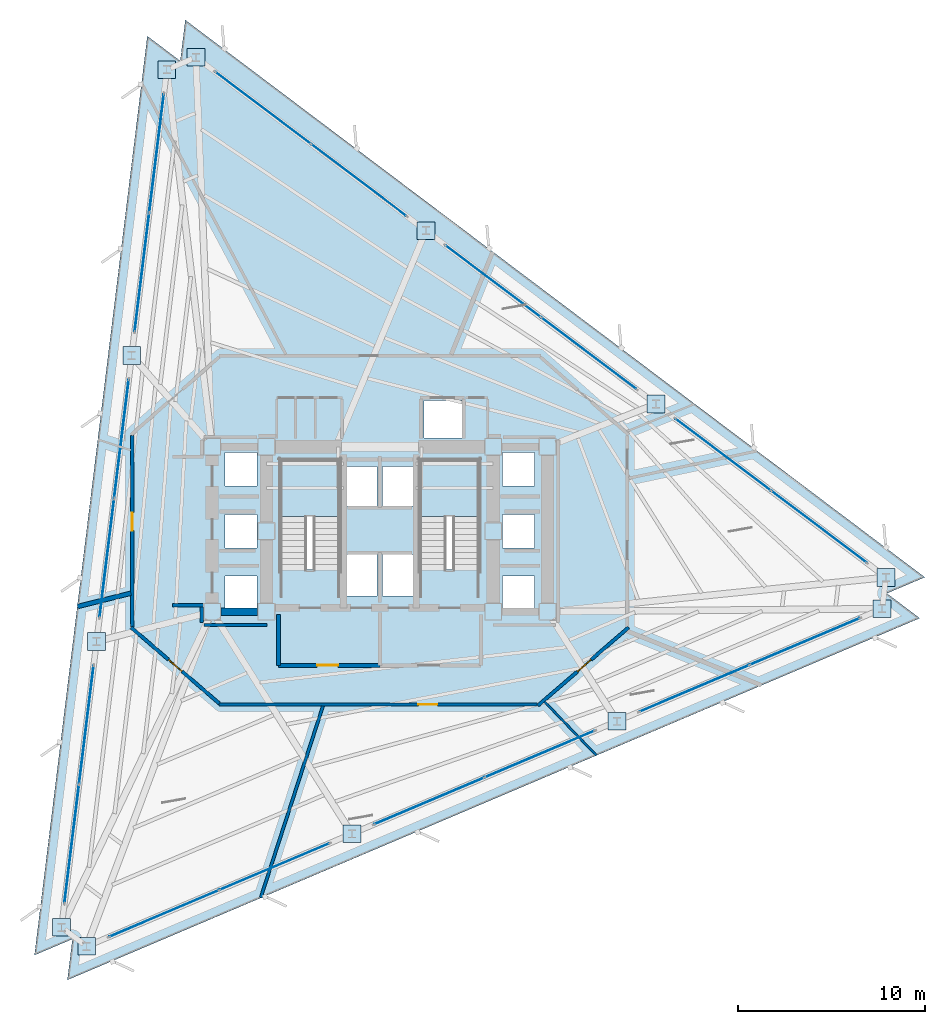
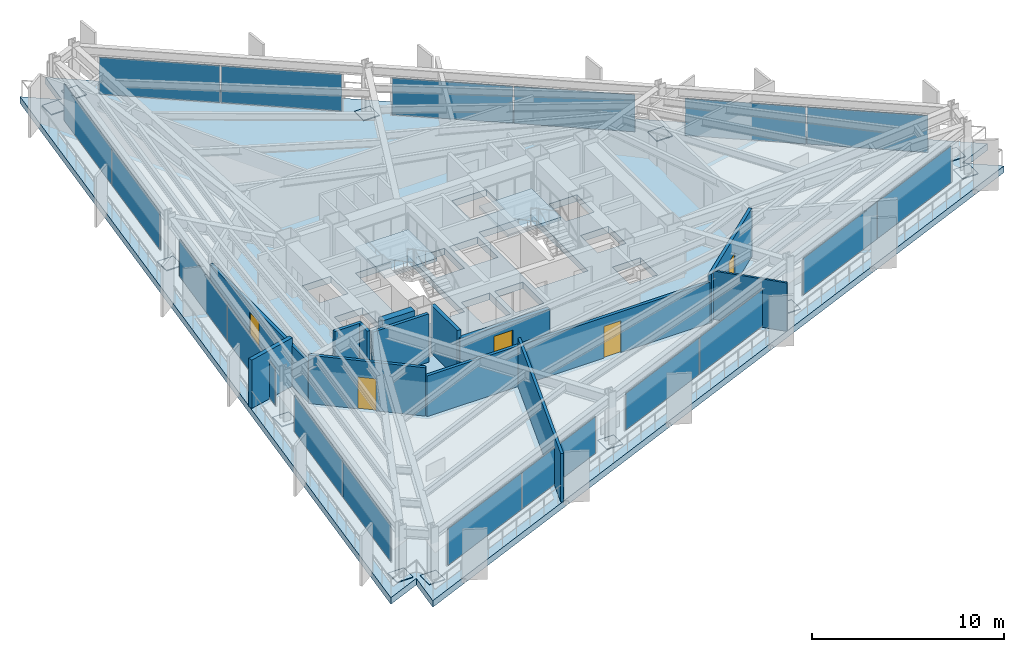
# One storey, part 6 of 13: 30 plates, 13 walls, 5 doors, 3 slabs, 5 openings, 11 elements without a shape of their own.
"""IFC4 building model written with IfcOpenShell, lengths in metres."""

from ifc_helpers import new_model, si_unit, direction, frame, frame_2d, origin, origin_2d, place, context, subcontext, project, spatial, polyline, rectangle, outline, extrude, material, layer, layer_set, type_object, element, fill, aggregate, save


model = new_model("IFC4")

# Units and contexts
model_context = context("Model", 3, precision=1e-05, world=origin(), true_north=direction((0.0, 1.0)))
body_context = subcontext(model_context, "Body", "Model", "MODEL_VIEW")
ifc_project = project(units=[si_unit("LENGTHUNIT", "METRE"), si_unit("AREAUNIT", "SQUARE_METRE"), si_unit("VOLUMEUNIT", "CUBIC_METRE"), si_unit("PLANEANGLEUNIT", "RADIAN"), si_unit("MASSUNIT", "GRAM", prefix="KILO")], contexts=[model_context])

# Site, building, storey
site_placement = place(None, origin())
site = spatial("IfcSite", under=ifc_project, at=site_placement, CompositionType="ELEMENT")
building_placement = place(site_placement, origin())
building = spatial("IfcBuilding", under=site, at=building_placement, Name="Rocaltana Carrier Exchange", CompositionType="ELEMENT")
storey_placement = place(building_placement, frame((0.0, 0.0, 49.60009765625)))
storey = spatial("IfcBuildingStorey", under=building, at=storey_placement, Name="L15", CompositionType="ELEMENT", Elevation=49.60009765625)

# Slab
ifc_material_1 = material(Name="Concrete C60/75", Category="concrete")
ifc_layer_1 = layer(ifc_material_1, 0.419921875)
ifc_layer_set_1 = layer_set([ifc_layer_1], Name="Concrete C60/75")
slab_type_1 = type_object("IfcSlabType", Name="Block Transfer Diaphragm Slab 420", PredefinedType="FLOOR", material=ifc_layer_set_1)
slab_1_placement = place(storey_placement, frame((0.0, 0.0, -0.420166015625)))
element("IfcSlab", 1, at=slab_1_placement, inside=storey, type_object=slab_type_1, Name="L15 Structural Floor Slab", PredefinedType="FLOOR", context=body_context, shape_type="SweptSolid", body=[
    extrude(outline(polyline([(28.8046875, -4.64501953125), (27.0478515625, -3.321044921875), (29.072998046875, -2.46142578125), (-10.379638671875, 27.268310546875), (-10.647705078125, 25.084716796875), (-12.40478515625, 26.40869140625), (-18.425048828125, -22.623291015625), (-16.39990234375, -21.763671875), (-16.668212890625, -23.947265625), (28.8046875, -4.64501953125)]), holes=[polyline([(-5.300048828125, -2.06005859375), (-2.139892578125, -2.06005859375), (-2.139892578125, 3.800048828125), (-5.300048828125, 3.800048828125), (-5.300048828125, -2.06005859375)]), polyline([(2.139892578125, -2.06005859375), (5.300048828125, -2.06005859375), (5.300048828125, 3.800048828125), (2.139892578125, 3.800048828125), (2.139892578125, -2.06005859375)]), polyline([(-1.85009765625, -3.449951171875), (-0.14990234375, -3.449951171875), (-0.14990234375, -1.25), (-1.85009765625, -1.25), (-1.85009765625, -3.449951171875)]), polyline([(0.14990234375, -3.449951171875), (1.85009765625, -3.449951171875), (1.85009765625, -1.25), (0.14990234375, -1.25), (0.14990234375, -3.449951171875)]), polyline([(2.35009765625, 4.97998046875), (4.39990234375, 4.97998046875), (4.39990234375, 6.97998046875), (2.35009765625, 6.97998046875), (2.35009765625, 4.97998046875)]), polyline([(-1.85009765625, 1.35009765625), (-0.14990234375, 1.35009765625), (-0.14990234375, 3.449951171875), (-1.85009765625, 3.449951171875), (-1.85009765625, 1.35009765625)]), polyline([(0.14990234375, 1.35009765625), (1.85009765625, 1.35009765625), (1.85009765625, 3.449951171875), (0.14990234375, 3.449951171875), (0.14990234375, 1.35009765625)]), polyline([(-8.25, -4.199951171875), (-6.550048828125, -4.199951171875), (-6.550048828125, -2.39990234375), (-8.25, -2.39990234375), (-8.25, -4.199951171875)]), polyline([(-8.25, -0.89990234375), (-6.550048828125, -0.89990234375), (-6.550048828125, 0.89990234375), (-8.25, 0.89990234375), (-8.25, -0.89990234375)]), polyline([(-8.25, 2.39990234375), (-6.550048828125, 2.39990234375), (-6.550048828125, 4.199951171875), (-8.25, 4.199951171875), (-8.25, 2.39990234375)]), polyline([(6.550048828125, -4.199951171875), (8.25, -4.199951171875), (8.25, -2.39990234375), (6.550048828125, -2.39990234375), (6.550048828125, -4.199951171875)]), polyline([(6.550048828125, -0.89990234375), (8.25, -0.89990234375), (8.25, 0.89990234375), (6.550048828125, 0.89990234375), (6.550048828125, -0.89990234375)]), polyline([(6.550048828125, 2.39990234375), (8.25, 2.39990234375), (8.25, 4.199951171875), (6.550048828125, 4.199951171875), (6.550048828125, 2.39990234375)])]), origin(), (0.0, 0.0, 1.0), 0.420166015625),
])

# Curtain wall, plates
ifc_material_2 = material(Name="Aluminium 6063-T6", Category="aluminium")
ifc_layer_2 = layer(ifc_material_2, 0.1650390625)
ifc_layer_set_2 = layer_set([ifc_layer_2], Name="Aluminium 6063-T6")
curtain_wall_type = type_object("IfcCurtainWallType", Name="Lower-Mid Stepped Curtain Wall CW-02", PredefinedType="NOTDEFINED", material=ifc_layer_set_2)
curtain_wall_1_placement = place(storey_placement, origin())
curtain_wall_1 = element("IfcCurtainWall", 2, at=curtain_wall_1_placement, inside=storey, type_object=curtain_wall_type, Name="L15 CW-02 Run CW-L15-F1S1", PredefinedType="NOTDEFINED")
ifc_material_3 = material(Name="Tempered Laminated Glass", Category="glass")
ifc_layer_3 = layer(ifc_material_3, 0.0419921875)
ifc_layer_set_3 = layer_set([ifc_layer_3], Name="Tempered Laminated Glass")
plate_type_1 = type_object("IfcPlateType", Name="CW-02 Stone-Insulated Vision Panel", PredefinedType="CURTAIN_PANEL", material=ifc_layer_set_3)
plate_1_placement = place(storey_placement, frame((23.422607421875, 0.231201171875, 0.06494140625), z_axis=(0.0, 0.0, 1.0), x_axis=(-0.798641886792, 0.601806560833, 0.0)))
plate_1 = element("IfcPlate", 3, at=plate_1_placement, type_object=plate_type_1, Name="CW-02 panel 1.1", PredefinedType="CURTAIN_PANEL", context=body_context, shape_type="SweptSolid", body=[
    extrude(rectangle(XDim=6.335693359375, YDim=0.0419921875, at=origin_2d()), origin(), (0.0, 0.0, 1.0), 2.347900390625),
])
plate_2_placement = place(storey_placement, frame((18.310791015625, 4.083251953125, 0.06494140625), z_axis=(0.0, 0.0, 1.0), x_axis=(-0.798641886792, 0.601806560833, 0.0)))
plate_2 = element("IfcPlate", 4, at=plate_2_placement, type_object=plate_type_1, Name="CW-02 panel 2.1", PredefinedType="CURTAIN_PANEL", context=body_context, shape_type="SweptSolid", body=[
    extrude(rectangle(XDim=6.335693359375, YDim=0.0419921875, at=origin_2d()), origin(), (0.0, 0.0, 1.0), 2.347900390625),
])
aggregate(curtain_wall_1, [plate_1, plate_2])

curtain_wall_2_placement = place(storey_placement, origin())
curtain_wall_2 = element("IfcCurtainWall", 5, at=curtain_wall_2_placement, inside=storey, type_object=curtain_wall_type, Name="L15 CW-02 Run CW-L15-F1S2", PredefinedType="NOTDEFINED")
plate_3_placement = place(storey_placement, frame((11.150390625, 9.47900390625, 0.06494140625), z_axis=(0.0, 0.0, 1.0), x_axis=(-0.798635336443, 0.601815253533, 0.0)))
plate_3 = element("IfcPlate", 6, at=plate_3_placement, type_object=plate_type_1, Name="CW-02 panel 1.1", PredefinedType="CURTAIN_PANEL", context=body_context, shape_type="SweptSolid", body=[
    extrude(rectangle(XDim=6.335693359375, YDim=0.0419921875, at=origin_2d()), origin(), (0.0, 0.0, 1.0), 2.347900390625),
])
plate_4_placement = place(storey_placement, frame((6.038330078125, 13.3310546875, 0.06494140625), z_axis=(0.0, 0.0, 1.0), x_axis=(-0.798635336443, 0.601815253533, 0.0)))
plate_4 = element("IfcPlate", 7, at=plate_4_placement, type_object=plate_type_1, Name="CW-02 panel 2.1", PredefinedType="CURTAIN_PANEL", context=body_context, shape_type="SweptSolid", body=[
    extrude(rectangle(XDim=6.335693359375, YDim=0.0419921875, at=origin_2d()), origin(), (0.0, 0.0, 1.0), 2.347900390625),
])
aggregate(curtain_wall_2, [plate_3, plate_4])

curtain_wall_3_placement = place(storey_placement, origin())
curtain_wall_3 = element("IfcCurtainWall", 8, at=curtain_wall_3_placement, inside=storey, type_object=curtain_wall_type, Name="L15 CW-02 Run CW-L15-F1S3", PredefinedType="NOTDEFINED")
plate_5_placement = place(storey_placement, frame((-1.1220703125, 18.726806640625, 0.06494140625), z_axis=(0.0, 0.0, 1.0), x_axis=(-0.79863815132, 0.601811518049, 0.0)))
plate_5 = element("IfcPlate", 9, at=plate_5_placement, type_object=plate_type_1, Name="CW-02 panel 1.1", PredefinedType="CURTAIN_PANEL", context=body_context, shape_type="SweptSolid", body=[
    extrude(rectangle(XDim=6.3359375, YDim=0.0419921875, at=origin_2d()), origin(), (0.0, 0.0, 1.0), 2.347900390625),
])
plate_6_placement = place(storey_placement, frame((-6.23388671875, 22.5791015625, 0.06494140625), z_axis=(0.0, 0.0, 1.0), x_axis=(-0.79863815132, 0.601811518049, 0.0)))
plate_6 = element("IfcPlate", 10, at=plate_6_placement, type_object=plate_type_1, Name="CW-02 panel 2.1", PredefinedType="CURTAIN_PANEL", context=body_context, shape_type="SweptSolid", body=[
    extrude(rectangle(XDim=6.3359375, YDim=0.0419921875, at=origin_2d()), origin(), (0.0, 0.0, 1.0), 2.347900390625),
])
aggregate(curtain_wall_3, [plate_5, plate_6])

curtain_wall_4_placement = place(storey_placement, origin())
curtain_wall_4 = element("IfcCurtainWall", 11, at=curtain_wall_4_placement, inside=storey, type_object=curtain_wall_type, Name="L15 CW-02 Run CW-L15-F2S1", PredefinedType="NOTDEFINED")
plate_7_placement = place(storey_placement, frame((-11.91162109375, 20.169189453125, 0.06494140625), z_axis=(0.0, 0.0, 1.0), x_axis=(-0.121872630343, -0.992545748051, 0.0)))
plate_7 = element("IfcPlate", 12, at=plate_7_placement, type_object=plate_type_1, Name="CW-02 panel 1.1", PredefinedType="CURTAIN_PANEL", context=body_context, shape_type="SweptSolid", body=[
    extrude(rectangle(XDim=6.3359375, YDim=0.0419921875, at=origin_2d()), origin(), (0.0, 0.0, 1.0), 2.347900390625),
])
plate_8_placement = place(storey_placement, frame((-12.691650390625, 13.81591796875, 0.06494140625), z_axis=(0.0, 0.0, 1.0), x_axis=(-0.121872630343, -0.992545748051, 0.0)))
plate_8 = element("IfcPlate", 13, at=plate_8_placement, type_object=plate_type_1, Name="CW-02 panel 2.1", PredefinedType="CURTAIN_PANEL", context=body_context, shape_type="SweptSolid", body=[
    extrude(rectangle(XDim=6.3359375, YDim=0.0419921875, at=origin_2d()), origin(), (0.0, 0.0, 1.0), 2.347900390625),
])
aggregate(curtain_wall_4, [plate_7, plate_8])

curtain_wall_5_placement = place(storey_placement, origin())
curtain_wall_5 = element("IfcCurtainWall", 14, at=curtain_wall_5_placement, inside=storey, type_object=curtain_wall_type, Name="L15 CW-02 Run CW-L15-F2S2", PredefinedType="NOTDEFINED")
plate_9_placement = place(storey_placement, frame((-13.7841796875, 4.9169921875, 0.06494140625), z_axis=(0.0, 0.0, 1.0), x_axis=(-0.121873570472, -0.992545632614, 0.0)))
plate_9 = element("IfcPlate", 15, at=plate_9_placement, type_object=plate_type_1, Name="CW-02 panel 1.1", PredefinedType="CURTAIN_PANEL", context=body_context, shape_type="SweptSolid", body=[
    extrude(rectangle(XDim=6.335693359375, YDim=0.0419921875, at=origin_2d()), origin(), (0.0, 0.0, 1.0), 2.347900390625),
])
plate_10_placement = place(storey_placement, frame((-14.564208984375, -1.436279296875, 0.06494140625), z_axis=(0.0, 0.0, 1.0), x_axis=(-0.121873570472, -0.992545632614, 0.0)))
plate_10 = element("IfcPlate", 16, at=plate_10_placement, type_object=plate_type_1, Name="CW-02 panel 2.1", PredefinedType="CURTAIN_PANEL", context=body_context, shape_type="SweptSolid", body=[
    extrude(rectangle(XDim=6.335693359375, YDim=0.0419921875, at=origin_2d()), origin(), (0.0, 0.0, 1.0), 2.347900390625),
])
aggregate(curtain_wall_5, [plate_9, plate_10])

curtain_wall_6_placement = place(storey_placement, origin())
curtain_wall_6 = element("IfcCurtainWall", 17, at=curtain_wall_6_placement, inside=storey, type_object=curtain_wall_type, Name="L15 CW-02 Run CW-L15-F2S3", PredefinedType="NOTDEFINED")
plate_11_placement = place(storey_placement, frame((-15.656982421875, -10.335205078125, 0.06494140625), z_axis=(0.0, 0.0, 1.0), x_axis=(-0.121881227076, -0.992544692438, 0.0)))
plate_11 = element("IfcPlate", 18, at=plate_11_placement, type_object=plate_type_1, Name="CW-02 panel 1.1", PredefinedType="CURTAIN_PANEL", context=body_context, shape_type="SweptSolid", body=[
    extrude(rectangle(XDim=6.335693359375, YDim=0.0419921875, at=origin_2d()), origin(), (0.0, 0.0, 1.0), 2.347900390625),
])
plate_12_placement = place(storey_placement, frame((-16.43701171875, -16.688232421875, 0.06494140625), z_axis=(0.0, 0.0, 1.0), x_axis=(-0.121881227076, -0.992544692438, 0.0)))
plate_12 = element("IfcPlate", 19, at=plate_12_placement, type_object=plate_type_1, Name="CW-02 panel 2.1", PredefinedType="CURTAIN_PANEL", context=body_context, shape_type="SweptSolid", body=[
    extrude(rectangle(XDim=6.335693359375, YDim=0.0419921875, at=origin_2d()), origin(), (0.0, 0.0, 1.0), 2.347900390625),
])
aggregate(curtain_wall_6, [plate_11, plate_12])

curtain_wall_7_placement = place(storey_placement, origin())
curtain_wall_7 = element("IfcCurtainWall", 20, at=curtain_wall_7_placement, inside=storey, type_object=curtain_wall_type, Name="L15 CW-02 Run CW-L15-F3S1", PredefinedType="NOTDEFINED")
plate_13_placement = place(storey_placement, frame((-11.51123046875, -20.400146484375, 0.06494140625), z_axis=(0.0, 0.0, 1.0), x_axis=(0.920505895435, 0.390728673724, 0.0)))
plate_13 = element("IfcPlate", 21, at=plate_13_placement, type_object=plate_type_1, Name="CW-02 panel 1.1", PredefinedType="CURTAIN_PANEL", context=body_context, shape_type="SweptSolid", body=[
    extrude(rectangle(XDim=6.3359375, YDim=0.0419921875, at=origin_2d()), origin(), (0.0, 0.0, 1.0), 2.347900390625),
])
plate_14_placement = place(storey_placement, frame((-5.619140625, -17.899169921875, 0.06494140625), z_axis=(0.0, 0.0, 1.0), x_axis=(0.920505895435, 0.390728673724, 0.0)))
plate_14 = element("IfcPlate", 22, at=plate_14_placement, type_object=plate_type_1, Name="CW-02 panel 2.1", PredefinedType="CURTAIN_PANEL", context=body_context, shape_type="SweptSolid", body=[
    extrude(rectangle(XDim=6.3359375, YDim=0.0419921875, at=origin_2d()), origin(), (0.0, 0.0, 1.0), 2.347900390625),
])
aggregate(curtain_wall_7, [plate_13, plate_14])

curtain_wall_8_placement = place(storey_placement, origin())
curtain_wall_8 = element("IfcCurtainWall", 23, at=curtain_wall_8_placement, inside=storey, type_object=curtain_wall_type, Name="L15 CW-02 Run CW-L15-F3S2", PredefinedType="NOTDEFINED")
plate_15_placement = place(storey_placement, frame((2.634033203125, -14.39599609375, 0.06494140625), z_axis=(0.0, 0.0, 1.0), x_axis=(0.920505895435, 0.390728673724, 0.0)))
plate_15 = element("IfcPlate", 24, at=plate_15_placement, type_object=plate_type_1, Name="CW-02 panel 1.1", PredefinedType="CURTAIN_PANEL", context=body_context, shape_type="SweptSolid", body=[
    extrude(rectangle(XDim=6.3359375, YDim=0.0419921875, at=origin_2d()), origin(), (0.0, 0.0, 1.0), 2.347900390625),
])
plate_16_placement = place(storey_placement, frame((8.52587890625, -11.89501953125, 0.06494140625), z_axis=(0.0, 0.0, 1.0), x_axis=(0.920505895435, 0.390728673724, 0.0)))
plate_16 = element("IfcPlate", 25, at=plate_16_placement, type_object=plate_type_1, Name="CW-02 panel 2.1", PredefinedType="CURTAIN_PANEL", context=body_context, shape_type="SweptSolid", body=[
    extrude(rectangle(XDim=6.3359375, YDim=0.0419921875, at=origin_2d()), origin(), (0.0, 0.0, 1.0), 2.347900390625),
])
aggregate(curtain_wall_8, [plate_15, plate_16])

curtain_wall_9_placement = place(storey_placement, origin())
curtain_wall_9 = element("IfcCurtainWall", 26, at=curtain_wall_9_placement, inside=storey, type_object=curtain_wall_type, Name="L15 CW-02 Run CW-L15-F3S3", PredefinedType="NOTDEFINED")
plate_17_placement = place(storey_placement, frame((16.779052734375, -8.391845703125, 0.06494140625), z_axis=(0.0, 0.0, 1.0), x_axis=(0.920503100084, 0.390735259141, 0.0)))
plate_17 = element("IfcPlate", 27, at=plate_17_placement, type_object=plate_type_1, Name="CW-02 panel 1.1", PredefinedType="CURTAIN_PANEL", context=body_context, shape_type="SweptSolid", body=[
    extrude(rectangle(XDim=6.3359375, YDim=0.0419921875, at=origin_2d()), origin(), (0.0, 0.0, 1.0), 2.347900390625),
])
plate_18_placement = place(storey_placement, frame((22.671142578125, -5.890625, 0.06494140625), z_axis=(0.0, 0.0, 1.0), x_axis=(0.920503100084, 0.390735259141, 0.0)))
plate_18 = element("IfcPlate", 28, at=plate_18_placement, type_object=plate_type_1, Name="CW-02 panel 2.1", PredefinedType="CURTAIN_PANEL", context=body_context, shape_type="SweptSolid", body=[
    extrude(rectangle(XDim=6.3359375, YDim=0.0419921875, at=origin_2d()), origin(), (0.0, 0.0, 1.0), 2.347900390625),
])
aggregate(curtain_wall_9, [plate_17, plate_18])

# Plates
ifc_material_4 = material(Name="Steel S460", Category="steel")
ifc_layer_4 = layer(ifc_material_4, 0.0400390625)
ifc_layer_set_4 = layer_set([ifc_layer_4], Name="Steel S460")
plate_type_2 = type_object("IfcPlateType", Name="Column Base Bearing Plate 950x950x40", PredefinedType="SHEET", material=ifc_layer_set_4)
for number, where, z_axis, x_axis, name in (
    (29, (27.0029296875, -2.466796875, 0.0), (0.0, 0.0, 1.0), (1.0, 0.0, 0.0), "L15 Block Transfer Bearing Plate TC01"),
    (30, (14.73046875, 6.781005859375, 0.0), (0.0, 0.0, 1.0), (1.0, 0.0, 0.0), "L15 Block Transfer Bearing Plate TC02"),
    (31, (2.458251953125, 16.029052734375, 0.0), (0.0, 0.0, 1.0), (1.0, 0.0, 0.0), "L15 Block Transfer Bearing Plate TC03"),
    (32, (-9.814208984375, 25.27685546875, 0.0), (0.0, 0.0, 1.0), (1.0, 0.0, 0.0), "L15 Block Transfer Bearing Plate TC04"),
    (33, (-11.365234375, 24.61865234375, 0.0), (0.0, 0.0, 1.0), (1.0, 0.0, 0.0), "L15 Block Transfer Bearing Plate TC05"),
    (34, (-13.23779296875, 9.366455078125, 0.0), (0.0, 0.0, 1.0), (1.0, 0.0, 0.0), "L15 Block Transfer Bearing Plate TC06"),
    (35, (-15.110595703125, -5.8857421875, 0.0), (0.0, 0.0, 1.0), (1.0, 0.0, 0.0), "L15 Block Transfer Bearing Plate TC07"),
    (36, (-16.9833984375, -21.1376953125, 0.0), (0.0, 0.0, 1.0), (1.0, 0.0, 0.0), "L15 Block Transfer Bearing Plate TC08"),
    (37, (-15.6376953125, -22.15185546875, 0.0), (0.0, 0.0, 1.0), (1.0, 0.0, 0.0), "L15 Block Transfer Bearing Plate TC09"),
    (38, (-1.49267578125, -16.147705078125, 0.0), (0.0, 0.0, 1.0), (1.0, 0.0, 0.0), "L15 Block Transfer Bearing Plate TC10"),
    (39, (12.652587890625, -10.143310546875, 0.0), (0.0, 0.0, 1.0), (1.0, 0.0, 0.0), "L15 Block Transfer Bearing Plate TC11"),
    (40, (26.797607421875, -4.13916015625, 0.0), (0.0, 0.0, 1.0), (1.0, 0.0, 0.0), "L15 Block Transfer Bearing Plate TC12"),
):
    element("IfcPlate", number, at=place(storey_placement, frame(where, z_axis=z_axis, x_axis=x_axis)), inside=storey, type_object=plate_type_2, Name=name, PredefinedType="SHEET", context=body_context, shape_type="SweptSolid", body=[
        extrude(rectangle(XDim=0.949951171875, YDim=0.949951171875, at=origin_2d()), origin(), (0.0, 0.0, 1.0), 0.0400390625),
    ])

# Stair, slab
ifc_material_5 = material(Name="Precast concrete C45/55", Category="concrete")
stair_type = type_object("IfcStairType", Name="Standard Dog-Leg Stair 160", PredefinedType="HALF_TURN_STAIR", material=ifc_material_5)
stair_1_placement = place(storey_placement, origin())
stair_1 = element("IfcStair", 41, at=stair_1_placement, inside=storey, type_object=stair_type, Name="L15 Core West Exit Stair ST-1", PredefinedType="HALF_TURN_STAIR")
ifc_material_6 = material(Name="Precast concrete C45/55", Category="concrete")
ifc_layer_5 = layer(ifc_material_6, 0.199951171875)
ifc_layer_set_5 = layer_set([ifc_layer_5], Name="Precast concrete C45/55")
slab_type_2 = type_object("IfcSlabType", Name="Precast Stair Half-Landing 200", PredefinedType="LANDING", material=ifc_layer_set_5)
slab_2_placement = place(storey_placement, frame((0.0, 0.0, 1.47998046875)))
slab_2 = element("IfcSlab", 42, at=slab_2_placement, type_object=slab_type_2, Name="ST-1 landing 1", PredefinedType="LANDING", context=body_context, shape_type="SweptSolid", body=[
    extrude(outline(polyline([(-2.139892578125, 0.780029296875), (-2.139892578125, 3.800048828125), (-5.300048828125, 3.800048828125), (-5.300048828125, 0.780029296875), (-2.139892578125, 0.780029296875)])), origin(), (0.0, 0.0, 1.0), 0.199951171875),
])
aggregate(stair_1, [slab_2])

stair_2_placement = place(storey_placement, origin())
stair_2 = element("IfcStair", 43, at=stair_2_placement, inside=storey, type_object=stair_type, Name="L15 Core East Exit Stair ST-2", PredefinedType="HALF_TURN_STAIR")
slab_3_placement = place(storey_placement, frame((0.0, 0.0, 1.47998046875)))
slab_3 = element("IfcSlab", 44, at=slab_3_placement, type_object=slab_type_2, Name="ST-2 landing 1", PredefinedType="LANDING", context=body_context, shape_type="SweptSolid", body=[
    extrude(outline(polyline([(5.300048828125, 0.780029296875), (5.300048828125, 3.800048828125), (2.139892578125, 3.800048828125), (2.139892578125, 0.780029296875), (5.300048828125, 0.780029296875)])), origin(), (0.0, 0.0, 1.0), 0.199951171875),
])
aggregate(stair_2, [slab_3])

# Walls
ifc_material_7 = material(Name="Double Acoustic Gypsum Partition", Category="gypsum")
ifc_layer_6 = layer(ifc_material_7, 0.159912109375)
ifc_layer_set_6 = layer_set([ifc_layer_6], Name="Double Acoustic Gypsum Partition")
wall_type_1 = type_object("IfcWallType", Name="Acoustic Studio Partition 160 EI60", PredefinedType="PARTITIONING", material=ifc_layer_set_6)
wall_1_placement = place(storey_placement, frame((-3.031494140625, -9.330078125, 0.0), z_axis=(0.0, 0.0, 1.0), x_axis=(-0.309020370084, -0.951055419454, 0.0)))
element("IfcWall", 45, at=wall_1_placement, inside=storey, type_object=wall_type_1, Name="L15 Suite Divider Wall D2", PredefinedType="PARTITIONING", context=body_context, shape_type="SweptSolid", body=[
    extrude(rectangle(XDim=10.7548828125, YDim=0.159912109375, at=frame_2d((5.37744140625, 0.0))), origin(), (0.0, 0.0, 1.0), 3.072998046875),
])
ifc_material_8 = material(Name="Concrete C50/60", Category="concrete")
ifc_layer_7 = layer(ifc_material_8, 0.39990234375)
ifc_layer_set_7 = layer_set([ifc_layer_7], Name="Concrete C50/60")
wall_type_2 = type_object("IfcWallType", Name="Core Internal Shear Wall 400", PredefinedType="SHEAR", material=ifc_layer_set_7)
wall_2_placement = place(storey_placement, frame((-8.47509765625, -4.300048828125, 0.0), z_axis=(0.0, 0.0, 1.0), x_axis=(1.0, 0.0, 0.0)))
element("IfcWall", 46, at=wall_2_placement, inside=storey, type_object=wall_type_2, Name="L15 Core Shear Wall CW-WWS", PredefinedType="SHEAR", context=body_context, shape_type="SweptSolid", body=[
    extrude(rectangle(XDim=1.9501953125, YDim=0.39990234375, at=frame_2d((0.97509765625, 0.0))), origin(), (0.0, 0.0, 1.0), 3.097900390625),
])

# Wall, opening, door
ifc_material_9 = material(Name="Gypsum & Steel Stud Partition", Category="steel")
ifc_layer_8 = layer(ifc_material_9, 0.179931640625)
ifc_layer_set_8 = layer_set([ifc_layer_8], Name="Gypsum & Steel Stud Partition")
wall_type_3 = type_object("IfcWallType", Name="Corridor Fire Partition 180 EI60", PredefinedType="PARTITIONING", material=ifc_layer_set_8)
wall_3_placement = place(storey_placement, frame((13.268310546875, -5.14111328125, 0.0), z_axis=(0.0, 0.0, 1.0), x_axis=(-0.757534501725, -0.65279512766, 0.0)))
wall_3 = element("IfcWall", 47, at=wall_3_placement, inside=storey, type_object=wall_type_3, Name="L15 Corridor Partition 4", PredefinedType="PARTITIONING", context=body_context, shape_type="SweptSolid", body=[
    extrude(rectangle(XDim=6.384521484375, YDim=0.179931640625, at=frame_2d((3.1923828125, 0.0))), origin(), (0.0, 0.0, 1.0), 3.072998046875),
])
opening_1_placement = place(wall_3_placement, frame((2.639404296875, 0.0, 0.0)))
opening_1 = element("IfcOpeningElement", 48, at=opening_1_placement, cuts=wall_3, Name="Opening D-RM098", PredefinedType="OPENING", context=body_context, shape_type="SweptSolid", body=[
    extrude(rectangle(XDim=0.9599609375, YDim=2.02001953125, at=frame_2d((0.47998046875, 1.010009765625))), frame((0.0, 0.099853515625, 0.0), z_axis=(0.0, -1.0, 0.0), x_axis=(1.0, 0.0, 0.0)), (0.0, 0.0, 1.0), 0.199951171875),
])
ifc_material_10 = material(Name="Engineered Hardwood Timber", Category="wood")
door_type_1 = type_object("IfcDoorType", Name="Workspace Single Door 960x2020", OperationType="NOTDEFINED", PredefinedType="DOOR", material=ifc_material_10)
door_1_placement = place(opening_1_placement, origin())
door_1 = element("IfcDoor", 49, at=door_1_placement, inside=storey, type_object=door_type_1, Name="L15 Network Engineering Studio Entrance Door", OperationType="SINGLE_SWING_RIGHT", OverallHeight=2.02001953125, OverallWidth=0.9599609375, PredefinedType="DOOR", context=body_context, shape_type="SweptSolid", body=[
    extrude(rectangle(XDim=0.9599609375, YDim=2.02001953125, at=frame_2d((0.47998046875, 1.010009765625))), frame((0.0, 0.02490234375, 0.0), z_axis=(0.0, -1.0, 0.0), x_axis=(1.0, 0.0, 0.0)), (0.0, 0.0, 1.0), 0.050048828125),
])
fill(opening_1, door_1)

wall_4_placement = place(storey_placement, frame((8.409912109375, -9.25, 0.0), z_axis=(0.0, 0.0, 1.0), x_axis=(-1.0, 0.0, 0.0)))
wall_4 = element("IfcWall", 50, at=wall_4_placement, inside=storey, type_object=wall_type_3, Name="L15 Corridor Partition 5", PredefinedType="PARTITIONING", context=body_context, shape_type="SweptSolid", body=[
    extrude(rectangle(XDim=17.0, YDim=0.179931640625, at=frame_2d((8.5, 0.0))), origin(), (0.0, 0.0, 1.0), 2.5869140625),
])
opening_2_placement = place(wall_4_placement, frame((5.339599609375, 0.0, 0.0)))
opening_2 = element("IfcOpeningElement", 51, at=opening_2_placement, cuts=wall_4, Name="Opening D-LB104", PredefinedType="OPENING", context=body_context, shape_type="SweptSolid", body=[
    extrude(rectangle(XDim=1.02001953125, YDim=2.02001953125, at=frame_2d((0.510009765625, 1.010009765625))), frame((0.0, 0.099853515625, 0.0), z_axis=(0.0, -1.0, 0.0), x_axis=(1.0, 0.0, 0.0)), (0.0, 0.0, 1.0), 0.199951171875),
])
ifc_material_11 = material(Name="Powder-Coated Aluminium 6063-T6", Category="aluminium")
door_type_2 = type_object("IfcDoorType", Name="Laboratory Acoustic Door 1020x2020", OperationType="NOTDEFINED", PredefinedType="DOOR", material=ifc_material_11)
door_2_placement = place(opening_2_placement, origin())
door_2 = element("IfcDoor", 52, at=door_2_placement, inside=storey, type_object=door_type_2, Name="L15 Photonic Integration Workshop Entrance Door", OperationType="SINGLE_SWING_LEFT", OverallHeight=2.02001953125, OverallWidth=1.02001953125, PredefinedType="DOOR", context=body_context, shape_type="SweptSolid", body=[
    extrude(rectangle(XDim=1.02001953125, YDim=2.02001953125, at=frame_2d((0.510009765625, 1.010009765625))), frame((0.0, 0.02490234375, 0.0), z_axis=(0.0, -1.0, 0.0), x_axis=(1.0, 0.0, 0.0)), (0.0, 0.0, 1.0), 0.050048828125),
])
fill(opening_2, door_2)

wall_5_placement = place(storey_placement, frame((-8.568115234375, -9.191162109375, 0.0), z_axis=(0.0, 0.0, 1.0), x_axis=(-0.757556899173, 0.652769135694, 0.0)))
wall_5 = element("IfcWall", 53, at=wall_5_placement, inside=storey, type_object=wall_type_3, Name="L15 Corridor Partition 6", PredefinedType="PARTITIONING", context=body_context, shape_type="SweptSolid", body=[
    extrude(rectangle(XDim=6.204345703125, YDim=0.179931640625, at=frame_2d((3.10205078125, 0.0))), origin(), (0.0, 0.0, 1.0), 3.072998046875),
])
opening_3_placement = place(wall_5_placement, frame((2.6220703125, 0.0, 0.0)))
opening_3 = element("IfcOpeningElement", 54, at=opening_3_placement, cuts=wall_5, Name="Opening D-RM098", PredefinedType="OPENING", context=body_context, shape_type="SweptSolid", body=[
    extrude(rectangle(XDim=0.9599609375, YDim=2.02001953125, at=frame_2d((0.47998046875, 1.010009765625))), frame((0.0, 0.099853515625, 0.0), z_axis=(0.0, -1.0, 0.0), x_axis=(1.0, 0.0, 0.0)), (0.0, 0.0, 1.0), 0.199951171875),
])
door_3_placement = place(opening_3_placement, origin())
door_3 = element("IfcDoor", 55, at=door_3_placement, inside=storey, type_object=door_type_1, Name="L15 Network Engineering Studio Entrance Door", OperationType="SINGLE_SWING_RIGHT", OverallHeight=2.02001953125, OverallWidth=0.9599609375, PredefinedType="DOOR", context=body_context, shape_type="SweptSolid", body=[
    extrude(rectangle(XDim=0.9599609375, YDim=2.02001953125, at=frame_2d((0.47998046875, 1.010009765625))), frame((0.0, 0.02490234375, 0.0), z_axis=(0.0, -1.0, 0.0), x_axis=(1.0, 0.0, 0.0)), (0.0, 0.0, 1.0), 0.050048828125),
])
fill(opening_3, door_3)

wall_6_placement = place(storey_placement, frame((-13.199951171875, -5.110107421875, 0.0), z_axis=(0.0, 0.0, 1.0), x_axis=(0.0, 1.0, 0.0)))
wall_6 = element("IfcWall", 56, at=wall_6_placement, inside=storey, type_object=wall_type_3, Name="L15 Corridor Partition 7", PredefinedType="PARTITIONING", context=body_context, shape_type="SweptSolid", body=[
    extrude(rectangle(XDim=10.22021484375, YDim=0.179931640625, at=frame_2d((5.110107421875, 0.0))), origin(), (0.0, 0.0, 1.0), 2.5869140625),
])
opening_4_placement = place(wall_6_placement, frame((5.131591796875, 0.0, 0.0)))
opening_4 = element("IfcOpeningElement", 57, at=opening_4_placement, cuts=wall_6, Name="Opening D-RM098", PredefinedType="OPENING", context=body_context, shape_type="SweptSolid", body=[
    extrude(rectangle(XDim=0.9599609375, YDim=2.02001953125, at=frame_2d((0.47998046875, 1.010009765625))), frame((0.0, 0.099853515625, 0.0), z_axis=(0.0, -1.0, 0.0), x_axis=(1.0, 0.0, 0.0)), (0.0, 0.0, 1.0), 0.199951171875),
])
door_4_placement = place(opening_4_placement, origin())
door_4 = element("IfcDoor", 58, at=door_4_placement, inside=storey, type_object=door_type_1, Name="L15 Cloud Architecture Office Entrance Door", OperationType="SINGLE_SWING_RIGHT", OverallHeight=2.02001953125, OverallWidth=0.9599609375, PredefinedType="DOOR", context=body_context, shape_type="SweptSolid", body=[
    extrude(rectangle(XDim=0.9599609375, YDim=2.02001953125, at=frame_2d((0.47998046875, 1.010009765625))), frame((0.0, 0.02490234375, 0.0), z_axis=(0.0, -1.0, 0.0), x_axis=(1.0, 0.0, 0.0)), (0.0, 0.0, 1.0), 0.050048828125),
])
fill(opening_4, door_4)

# Walls
wall_7_placement = place(storey_placement, frame((-11.070068359375, -3.9599609375, 0.0), z_axis=(0.0, 0.0, 1.0), x_axis=(1.0, 0.0, 0.0)))
element("IfcWall", 59, at=wall_7_placement, inside=storey, type_object=wall_type_3, Name="L15 Corridor Partition 11", PredefinedType="PARTITIONING", context=body_context, shape_type="SweptSolid", body=[
    extrude(rectangle(XDim=1.650146484375, YDim=0.179931640625, at=frame_2d((0.8251953125, 0.0))), origin(), (0.0, 0.0, 1.0), 3.072998046875),
])
wall_8_placement = place(storey_placement, frame((-9.510009765625, -4.050048828125, 0.0), z_axis=(0.0, 0.0, 1.0), x_axis=(0.0, -1.0, 0.0)))
element("IfcWall", 60, at=wall_8_placement, inside=storey, type_object=wall_type_3, Name="L15 Corridor Partition 12", PredefinedType="PARTITIONING", context=body_context, shape_type="SweptSolid", body=[
    extrude(rectangle(XDim=0.820068359375, YDim=0.179931640625, at=frame_2d((0.41015625, 0.0))), origin(), (0.0, 0.0, 1.0), 3.072998046875),
])
wall_9_placement = place(storey_placement, frame((-9.3701171875, -5.010009765625, 0.0), z_axis=(0.0, 0.0, 1.0), x_axis=(1.0, 0.0, 0.0)))
element("IfcWall", 61, at=wall_9_placement, inside=storey, type_object=wall_type_3, Name="L15 Corridor Partition 13", PredefinedType="PARTITIONING", context=body_context, shape_type="SweptSolid", body=[
    extrude(rectangle(XDim=3.340087890625, YDim=0.179931640625, at=frame_2d((1.669921875, 0.0))), origin(), (0.0, 0.0, 1.0), 3.072998046875),
])
ifc_material_12 = material(Name="Aluminium 6063-T6 & Acoustic Glass", Category="aluminium")
ifc_layer_9 = layer(ifc_material_12, 0.114990234375)
ifc_layer_set_9 = layer_set([ifc_layer_9], Name="Aluminium 6063-T6 & Acoustic Glass")
wall_type_4 = type_object("IfcWallType", Name="Demountable Glazed Lab Partition 115", PredefinedType="MOVABLE", material=ifc_layer_set_9)
wall_10_placement = place(storey_placement, frame((8.791748046875, -9.104248046875, 0.0), z_axis=(0.0, 0.0, 1.0), x_axis=(0.694664773763, -0.719333616685, 0.0)))
element("IfcWall", 62, at=wall_10_placement, inside=storey, type_object=wall_type_4, Name="L15 Suite Divider Wall D3", PredefinedType="MOVABLE", context=body_context, shape_type="SweptSolid", body=[
    extrude(rectangle(XDim=3.968505859375, YDim=0.114990234375, at=frame_2d((1.984375, 0.0))), origin(), (0.0, 0.0, 1.0), 3.072998046875),
])
ifc_material_13 = material(Name="Autoclaved Aerated Concrete C30/37", Category="concrete")
ifc_layer_10 = layer(ifc_material_13, 0.219970703125)
ifc_layer_set_10 = layer_set([ifc_layer_10], Name="Autoclaved Aerated Concrete C30/37")
wall_type_5 = type_object("IfcWallType", Name="Firefighting Lobby Wall 220 EI120", PredefinedType="PARTITIONING", material=ifc_layer_set_10)
wall_11_placement = place(storey_placement, frame((-5.39990234375, -7.159912109375, 0.0), z_axis=(0.0, 0.0, 1.0), x_axis=(0.0, 1.0, 0.0)))
element("IfcWall", 63, at=wall_11_placement, inside=storey, type_object=wall_type_5, Name="L15 FFL Lobby 1 West Wall", PredefinedType="PARTITIONING", context=body_context, shape_type="SweptSolid", body=[
    extrude(rectangle(XDim=2.7099609375, YDim=0.219970703125, at=frame_2d((1.35498046875, 0.0))), origin(), (0.0, 0.0, 1.0), 3.072998046875),
])

# Wall, opening, door
wall_12_placement = place(storey_placement, frame((-5.39990234375, -7.159912109375, 0.0), z_axis=(0.0, 0.0, 1.0), x_axis=(1.0, 0.0, 0.0)))
wall_12 = element("IfcWall", 64, at=wall_12_placement, inside=storey, type_object=wall_type_5, Name="L15 FFL Lobby 1 South Wall", PredefinedType="PARTITIONING", context=body_context, shape_type="SweptSolid", body=[
    extrude(rectangle(XDim=5.39990234375, YDim=0.219970703125, at=frame_2d((2.699951171875, 0.0))), origin(), (0.0, 0.0, 1.0), 2.5869140625),
])
opening_5_placement = place(wall_12_placement, frame((2.050048828125, 0.0, 0.0)))
opening_5 = element("IfcOpeningElement", 65, at=opening_5_placement, cuts=wall_12, Name="Opening D-FF115", PredefinedType="OPENING", context=body_context, shape_type="SweptSolid", body=[
    extrude(rectangle(XDim=1.1201171875, YDim=2.02001953125, at=frame_2d((0.56005859375, 1.010009765625))), frame((0.0, 0.119873046875, 0.0), z_axis=(0.0, -1.0, 0.0), x_axis=(1.0, 0.0, 0.0)), (0.0, 0.0, 1.0), 0.239990234375),
])
ifc_material_14 = material(Name="Hollow Metal Fire Door Assembly", Category="steel")
door_type_3 = type_object("IfcDoorType", Name="Firefighting Lobby Door 1120x2020 FD60S", OperationType="NOTDEFINED", PredefinedType="DOOR", material=ifc_material_14)
door_5_placement = place(opening_5_placement, origin())
door_5 = element("IfcDoor", 66, at=door_5_placement, inside=storey, type_object=door_type_3, Name="L15 Firefighting Lift Lobby 1 Door", OperationType="SINGLE_SWING_RIGHT", OverallHeight=2.02001953125, OverallWidth=1.1201171875, PredefinedType="DOOR", context=body_context, shape_type="SweptSolid", body=[
    extrude(rectangle(XDim=1.1201171875, YDim=2.02001953125, at=frame_2d((0.56005859375, 1.010009765625))), frame((0.0, 0.02490234375, 0.0), z_axis=(0.0, -1.0, 0.0), x_axis=(1.0, 0.0, 0.0)), (0.0, 0.0, 1.0), 0.050048828125),
])
fill(opening_5, door_5)

# Wall
ifc_material_15 = material(Name="Acoustic Calcium Silicate Partition", Category="gypsum")
ifc_layer_11 = layer(ifc_material_15, 0.239990234375)
ifc_layer_set_11 = layer_set([ifc_layer_11], Name="Acoustic Calcium Silicate Partition")
wall_type_6 = type_object("IfcWallType", Name="Heavy Lab Partition 240 EI90", PredefinedType="PARTITIONING", material=ifc_layer_set_11)
wall_13_placement = place(storey_placement, frame((-13.280029296875, -3.31103515625, 0.0), z_axis=(0.0, 0.0, 1.0), x_axis=(-0.970288946824, -0.241949084873, 0.0)))
element("IfcWall", 67, at=wall_13_placement, inside=storey, type_object=wall_type_6, Name="L15 Suite Divider Wall D1", PredefinedType="PARTITIONING", context=body_context, shape_type="SweptSolid", body=[
    extrude(rectangle(XDim=2.9384765625, YDim=0.239990234375, at=frame_2d((1.46923828125, 0.0))), origin(), (0.0, 0.0, 1.0), 3.072998046875),
])

save(model, "model.ifc")
